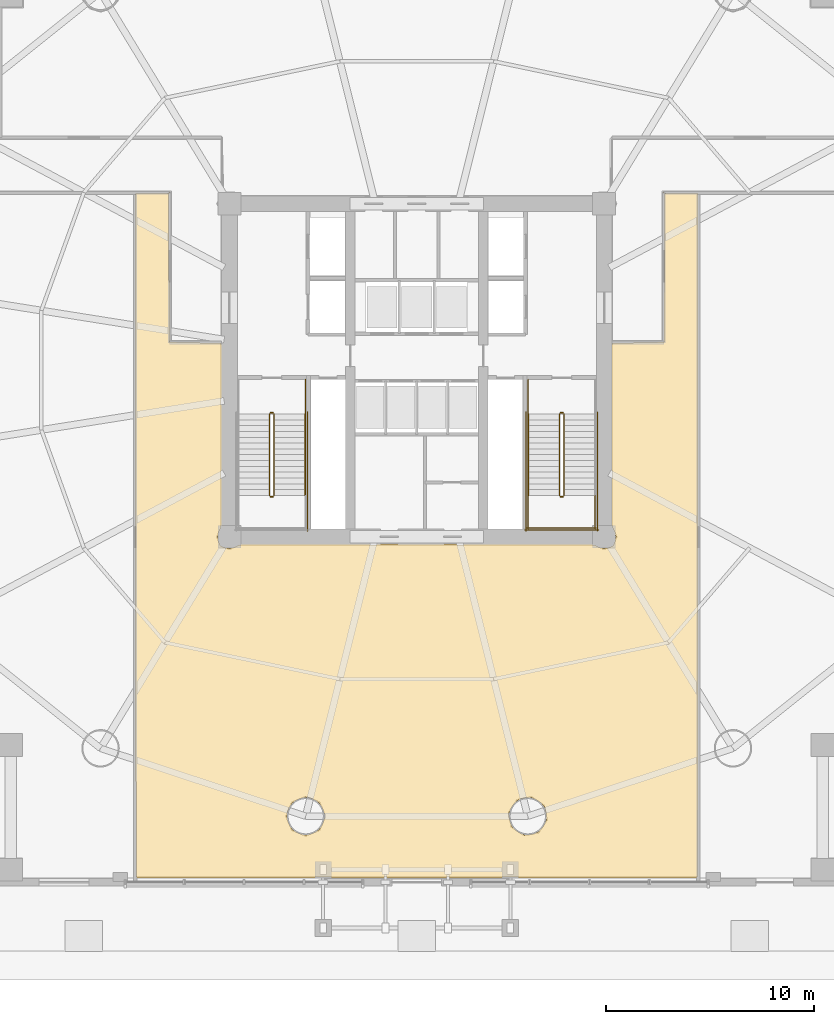
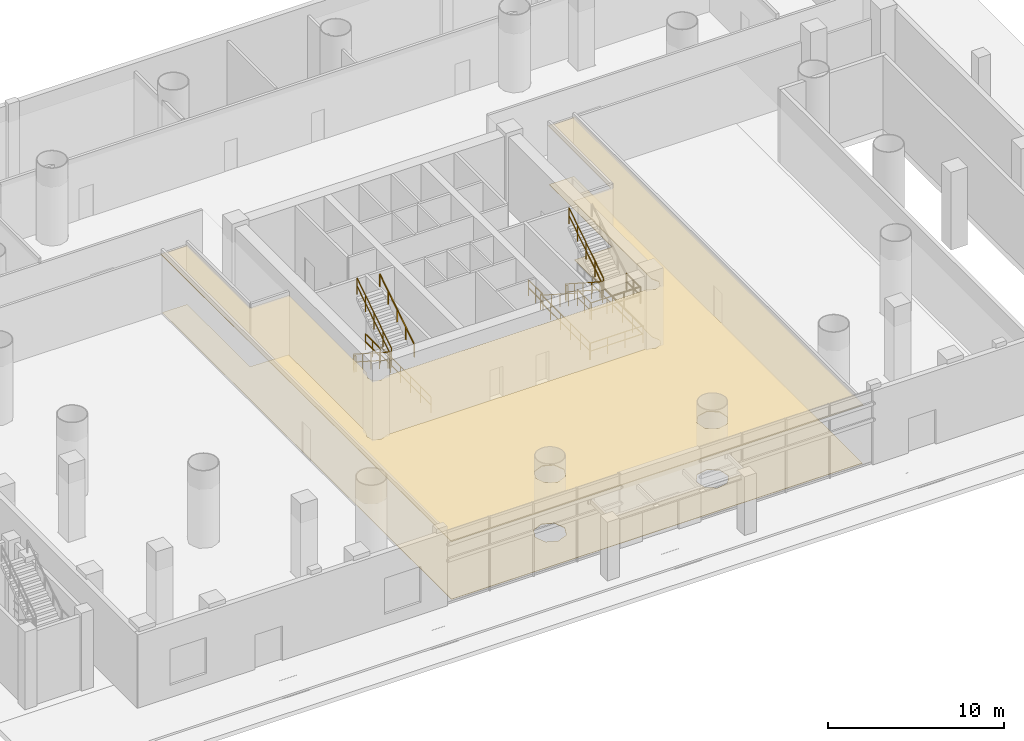
# One storey, part 18 of 25: 19 railings, 2 coverings.
"""IFC4 building model written with IfcOpenShell, lengths in metres."""

import ifcopenshell
import ifcopenshell.guid

model = None  # the IFC model being written
_history = None  # IfcOwnerHistory: only IFC2X3 demands one
_inside = {}  # id of a spatial element -> (the spatial element, [elements in it])
_under = {}  # id of a project, library or spatial element -> (it, [spatial elements below it])
_declared = {}  # id of a project -> (the project, [libraries it declares])
_typed = {}  # id of a type object -> (the type object, [elements of that type])
_made_of = {}  # id of a material, layer set ... -> (it, [elements and type objects made of it])


def new_model(schema):
    """Start an empty IFC model of exactly this schema.

    Asked for "IFC4X3", IfcOpenShell would pick the latest addendum, in which some entities
    have other attributes; the version numbers below select the first issue.
    IFC2X3 requires an IfcOwnerHistory on every rooted entity: one is made here for all.
    """
    global model, _history
    if schema == "IFC4X3":
        model = ifcopenshell.file(schema_version=(4, 3, 0, 0))
    else:
        model = ifcopenshell.file(schema=schema)
    _inside.clear()
    _under.clear()
    _declared.clear()
    _typed.clear()
    _made_of.clear()
    _history = None
    if model.schema == "IFC2X3":
        org = make("IfcOrganization", Name="unknown")
        user = make(
            "IfcPersonAndOrganization",
            ThePerson=make("IfcPerson", FamilyName="unknown"),
            TheOrganization=org,
        )
        app = make(
            "IfcApplication",
            ApplicationDeveloper=org,
            Version="unknown",
            ApplicationFullName="unknown",
            ApplicationIdentifier="unknown",
        )
        _history = make(
            "IfcOwnerHistory",
            OwningUser=user,
            OwningApplication=app,
            ChangeAction="ADDED",
            CreationDate=0,
        )
    return model


def make(cls, **values):
    """One entity of the class cls with the attributes given. An attribute that is None is left unset."""
    return model.create_entity(
        cls, **{name: value for name, value in values.items() if value is not None}
    )


def rooted(cls, **values):
    """An entity with a GlobalId (a new one), such as an element, a storey or a relation."""
    return make(cls, GlobalId=ifcopenshell.guid.new(), OwnerHistory=_history, **values)


def si_unit(unit_type, name, prefix=None):
    """IfcSIUnit, for example si_unit("LENGTHUNIT", "METRE", prefix="MILLI")."""
    return make("IfcSIUnit", UnitType=unit_type, Prefix=prefix, Name=name)


def assignment(units):
    """IfcUnitAssignment: the units of a project."""
    return None if units is None else make("IfcUnitAssignment", Units=units)


def point(xyz):
    """IfcCartesianPoint."""
    return None if xyz is None else make("IfcCartesianPoint", Coordinates=xyz)


def direction(xyz):
    """IfcDirection."""
    return None if xyz is None else make("IfcDirection", DirectionRatios=xyz)


def frame(location, z_axis=None, x_axis=None):
    """IfcAxis2Placement3D, a coordinate frame: its origin and axes. An axis left out is left unset."""
    return make(
        "IfcAxis2Placement3D",
        Location=point(location),
        Axis=direction(z_axis),
        RefDirection=direction(x_axis),
    )


def frame_2d(location, x_axis=None):
    """IfcAxis2Placement2D, a coordinate frame in the plane: its origin and x axis."""
    return make(
        "IfcAxis2Placement2D", Location=point(location), RefDirection=direction(x_axis)
    )


def origin():
    """The frame at (0, 0, 0) with its axes left unset."""
    return frame((0.0, 0.0, 0.0))


def origin_2d():
    """The frame at (0, 0) in the plane with its x axis left unset."""
    return frame_2d((0.0, 0.0))


def place(relative_to, where):
    """IfcLocalPlacement: puts the frame where relative to a parent placement (None: the world)."""
    return make(
        "IfcLocalPlacement", PlacementRelTo=relative_to, RelativePlacement=where
    )


def context(
    kind, dimensions, precision=None, world=None, true_north=None, identifier=None
):
    """IfcGeometricRepresentationContext, for example the 3D "Model" context."""
    return make(
        "IfcGeometricRepresentationContext",
        ContextIdentifier=identifier,
        ContextType=kind,
        CoordinateSpaceDimension=dimensions,
        Precision=precision,
        WorldCoordinateSystem=world,
        TrueNorth=true_north,
    )


def subcontext(parent, identifier, kind, view, scale=None):
    """IfcGeometricRepresentationSubContext, for example "Body" below "Model"."""
    return make(
        "IfcGeometricRepresentationSubContext",
        ContextIdentifier=identifier,
        ContextType=kind,
        ParentContext=parent,
        TargetScale=scale,
        TargetView=view,
    )


def project(units=None, contexts=None):
    """IfcProject with its units and contexts."""
    return rooted(
        "IfcProject",
        Name="project",
        RepresentationContexts=contexts,
        UnitsInContext=assignment(units),
    )


def spatial(cls, under=None, at=None, **own):
    """A site, building, storey or space (cls), placed at a placement, below another one or the project."""
    s = rooted(cls, ObjectPlacement=at, **own)
    if under is not None:
        _under.setdefault(under.id(), (under, []))[1].append(s)
    return s


def polyline(points):
    """IfcPolyline through the points."""
    return make("IfcPolyline", Points=[point(p) for p in points])


def profile(cls, at=None, kind="AREA", **sizes):
    """A parametric profile (cls). Its sizes go by their IFC names, for example OverallWidth=200.0."""
    return make(cls, ProfileType=kind, Position=at, **sizes)


def rectangle(**sizes):
    """IfcRectangleProfileDef."""
    return profile("IfcRectangleProfileDef", **sizes)


def outline(outer, holes=None, kind="AREA"):
    """IfcArbitraryClosedProfileDef: a profile drawn as a closed curve; with holes, ...WithVoids."""
    if holes is None:
        return make("IfcArbitraryClosedProfileDef", ProfileType=kind, OuterCurve=outer)
    return make(
        "IfcArbitraryProfileDefWithVoids",
        ProfileType=kind,
        OuterCurve=outer,
        InnerCurves=holes,
    )


def extrude(swept, where, along, depth):
    """IfcExtrudedAreaSolid: the profile swept, set in the frame where, extruded along a direction by depth."""
    return make(
        "IfcExtrudedAreaSolid",
        SweptArea=swept,
        Position=where,
        ExtrudedDirection=direction(along),
        Depth=depth,
    )


def shape(context_of_items, identifier, shape_type, items):
    """IfcShapeRepresentation: the items that make up one representation, for example the "Body"."""
    return make(
        "IfcShapeRepresentation",
        ContextOfItems=context_of_items,
        RepresentationIdentifier=identifier,
        RepresentationType=shape_type,
        Items=items,
    )


def material(Name=None, Category=None):
    """IfcMaterial."""
    return make("IfcMaterial", Name=Name, Category=Category)


def layer(
    of_material, thickness, ventilated=None, Name=None, Category=None, Priority=None
):
    """IfcMaterialLayer: one layer of a wall or slab, of a material (None: an air gap)."""
    return make(
        "IfcMaterialLayer",
        Material=of_material,
        LayerThickness=thickness,
        IsVentilated=ventilated,
        Name=Name,
        Category=Category,
        Priority=Priority,
    )


def layer_set(layers, Name=None):
    """IfcMaterialLayerSet."""
    return make("IfcMaterialLayerSet", MaterialLayers=layers, LayerSetName=Name)


def made_of(thing, what):
    """Note that an element or type object is made of a material, layer set ...; save() writes the relation."""
    if what is not None:
        _made_of.setdefault(what.id(), (what, []))[1].append(thing)
    return thing


def type_object(cls, material=None, **own):
    """A type object (cls), such as IfcWallType, which elements share."""
    return made_of(rooted(cls, **own), material)


def element(
    cls,
    number,
    at=None,
    inside=None,
    cuts=None,
    type_object=None,
    material=None,
    context=None,
    identifier="Body",
    shape_type=None,
    held_by="IfcProductDefinitionShape",
    body=None,
    shapes=None,
    **own,
):
    """One element of the class cls, such as IfcWall. Its Tag is "e" and its number.

    at: its placement. inside: the storey or other place that contains it. cuts: it is an
    opening in that element (IfcRelVoidsElement). A single representation is given by context,
    identifier, shape_type and body (its items); several are given by shapes. held_by: the class
    of the entity that holds the representations. save() writes the other relations.
    """
    e = rooted(cls, Tag="e%d" % number, ObjectPlacement=at, **own)
    if body is not None:
        shapes = [shape(context, identifier, shape_type, body)]
    if shapes is not None:
        e.Representation = make(held_by, Representations=shapes)
    if inside is not None:
        _inside.setdefault(inside.id(), (inside, []))[1].append(e)
    if cuts is not None:
        rooted(
            "IfcRelVoidsElement", RelatingBuildingElement=cuts, RelatedOpeningElement=e
        )
    if type_object is not None:
        _typed.setdefault(type_object.id(), (type_object, []))[1].append(e)
    return made_of(e, material)


def aggregate(whole, parts):
    """IfcRelAggregates: a whole, such as a stair, and the parts it consists of."""
    return rooted("IfcRelAggregates", RelatingObject=whole, RelatedObjects=parts)


def save(model, path):
    """Write the relations noted so far, then the file.

    IfcRelAggregates (storeys below a building ...), IfcRelContainedInSpatialStructure (elements
    in a storey), IfcRelDefinesByType, IfcRelAssociatesMaterial and IfcRelDeclares: one each for
    every whole, place, type object, material and project.
    """
    for whole, parts in _under.values():
        aggregate(whole, parts)
    for where, things in _inside.values():
        rooted(
            "IfcRelContainedInSpatialStructure",
            RelatedElements=things,
            RelatingStructure=where,
        )
    for kind, things in _typed.values():
        rooted("IfcRelDefinesByType", RelatedObjects=things, RelatingType=kind)
    for what, things in _made_of.values():
        rooted("IfcRelAssociatesMaterial", RelatedObjects=things, RelatingMaterial=what)
    for by, libraries in _declared.values():
        rooted("IfcRelDeclares", RelatingContext=by, RelatedDefinitions=libraries)
    model.write(path)


model = new_model("IFC4")

# Units and contexts
model_context = context("Model", 3, precision=1e-05, world=origin(), true_north=direction((-0.2419218956, 0.970295726276)))
body_context = subcontext(model_context, "Body", "Model", "MODEL_VIEW")
ifc_project = project(units=[si_unit("LENGTHUNIT", "METRE"), si_unit("AREAUNIT", "SQUARE_METRE"), si_unit("VOLUMEUNIT", "CUBIC_METRE"), si_unit("PLANEANGLEUNIT", "RADIAN"), si_unit("MASSUNIT", "GRAM", prefix="KILO")], contexts=[model_context])

# Site, building, storey
site_placement = place(None, origin())
site = spatial("IfcSite", under=ifc_project, at=site_placement, CompositionType="ELEMENT")
building_placement = place(site_placement, origin())
building = spatial("IfcBuilding", under=site, at=building_placement, Name="Cobrevalo Terracotta Tower", CompositionType="ELEMENT")
storey_placement = place(building_placement, origin())
storey = spatial("IfcBuildingStorey", under=building, at=storey_placement, Name="L00", CompositionType="ELEMENT", Elevation=0.0)

# Coverings
ifc_material_1 = material(Name="Honed terracotta and granite tile", Category="masonry")
ifc_layer_1 = layer(ifc_material_1, 0.034912109375)
ifc_layer_set_1 = layer_set([ifc_layer_1], Name="Honed terracotta and granite tile")
covering_type_1 = type_object("IfcCoveringType", Name="Honed Terracotta & Granite Interior Flooring 35", PredefinedType="FLOORING", material=ifc_layer_set_1)
covering_1_placement = place(storey_placement, origin())
element("IfcCovering", 1, at=covering_1_placement, inside=storey, type_object=covering_type_1, Name="Grand Arrival Concourse and Reception floor finish", PredefinedType="FLOORING", context=body_context, shape_type="SweptSolid", body=[
    extrude(outline(polyline([(26.10009765625, 35.300048828125), (26.111328125, 28.152099609375), (28.60498046875, 28.10009765625), (28.60498046875, 19.267822265625), (28.379638671875, 18.800048828125), (28.561279296875, 18.361328125), (29.0, 18.1796875), (29.4677734375, 18.405029296875), (46.5322265625, 18.405029296875), (47.0, 18.1796875), (47.438720703125, 18.361328125), (47.620361328125, 18.800048828125), (47.39501953125, 19.267822265625), (47.39501953125, 28.10009765625), (49.888671875, 28.152099609375), (49.89990234375, 35.300048828125), (51.52197265625, 35.300048828125), (51.5, 2.43994140625), (24.5, 2.43994140625), (24.47802734375, 35.300048828125), (26.10009765625, 35.300048828125)]), holes=[polyline([(43.869140625, 4.571533203125), (44.27734375, 5.1826171875), (44.134033203125, 5.9033203125), (43.52294921875, 6.3115234375), (42.80224609375, 6.168212890625), (42.39404296875, 5.55712890625), (42.537353515625, 4.83642578125), (43.1484375, 4.42822265625), (43.869140625, 4.571533203125)]), polyline([(33.34326171875, 4.69091796875), (33.624267578125, 5.369873046875), (33.34326171875, 6.048828125), (32.664306640625, 6.329833984375), (31.9853515625, 6.048828125), (31.7041015625, 5.369873046875), (31.9853515625, 4.69091796875), (32.664306640625, 4.40966796875), (33.34326171875, 4.69091796875)])]), origin(), (0.0, 0.0, 1.0), 0.030029296875),
])
ifc_material_2 = material(Name="Acoustic perforated gypsum ceiling", Category="gypsum")
ifc_layer_2 = layer(ifc_material_2, 0.050048828125)
ifc_layer_set_2 = layer_set([ifc_layer_2], Name="Acoustic perforated gypsum ceiling")
covering_type_2 = type_object("IfcCoveringType", Name="Perforated Acoustic Gypsum Ceiling 50", PredefinedType="CEILING", material=ifc_layer_set_2)
covering_2_placement = place(storey_placement, frame((0.0, 0.0, 4.06005859375)))
element("IfcCovering", 2, at=covering_2_placement, inside=storey, type_object=covering_type_2, Name="Grand Arrival Concourse and Reception acoustic ceiling", PredefinedType="CEILING", context=body_context, shape_type="SweptSolid", body=[
    extrude(outline(polyline([(26.14501953125, 35.344970703125), (26.152099609375, 28.175048828125), (28.64990234375, 28.14501953125), (28.64990234375, 19.243896484375), (28.425537109375, 18.800048828125), (28.59375, 18.393798828125), (29.0, 18.2255859375), (29.44384765625, 18.449951171875), (46.55615234375, 18.449951171875), (47.0, 18.2255859375), (47.40625, 18.393798828125), (47.574462890625, 18.800048828125), (47.35009765625, 19.243896484375), (47.35009765625, 28.14501953125), (49.847900390625, 28.175048828125), (49.85498046875, 35.344970703125), (51.617919921875, 35.344970703125), (51.544921875, 2.39501953125), (24.455078125, 2.39501953125), (24.382080078125, 35.344970703125), (26.14501953125, 35.344970703125)]), holes=[polyline([(43.843994140625, 4.609130859375), (44.23291015625, 5.19140625), (44.096435546875, 5.878173828125), (43.51416015625, 6.26708984375), (42.827392578125, 6.130615234375), (42.4384765625, 5.54833984375), (42.574951171875, 4.861572265625), (43.1572265625, 4.47265625), (43.843994140625, 4.609130859375)]), polyline([(33.311279296875, 4.722900390625), (33.5791015625, 5.369873046875), (33.311279296875, 6.016845703125), (32.664306640625, 6.28466796875), (32.017333984375, 6.016845703125), (31.74951171875, 5.369873046875), (32.017333984375, 4.722900390625), (32.664306640625, 4.455078125), (33.311279296875, 4.722900390625)])]), origin(), (0.0, 0.0, 1.0), 0.050048828125),
])

# Railings
ifc_material_3 = material(Name="Brushed stainless steel", Category="steel")
railing_type_1 = type_object("IfcRailingType", Name="Stainless Steel Stair Handrail 900", PredefinedType="HANDRAIL", material=ifc_material_3)
railing_1_placement = place(storey_placement, frame((32.64501953125, 20.780029296875, 2.8798828125)))
element("IfcRailing", 3, at=railing_1_placement, inside=storey, type_object=railing_type_1, Name="L00 ST-1 stair handrail 2", PredefinedType="HANDRAIL", context=body_context, shape_type="SweptSolid", body=[
    extrude(rectangle(XDim=0.048095703125, YDim=0.048095703125, at=origin_2d()), frame((0.0, 0.0, 0.8759765625), z_axis=(0.0, 0.841171666519, 0.540768182723), x_axis=(-1.0, 0.0, 0.0)), (0.0, 0.0, 1.0), 4.66015625),
    extrude(rectangle(XDim=0.0419921875, YDim=0.0419921875, at=origin_2d()), origin(), (0.0, 0.0, 1.0), 0.851806640625),
    extrude(rectangle(XDim=0.0419921875, YDim=0.0419921875, at=origin_2d()), frame((0.0, 0.97998046875, 0.6298828125)), (0.0, 0.0, 1.0), 0.851806640625),
    extrude(rectangle(XDim=0.0419921875, YDim=0.0419921875, at=origin_2d()), frame((0.0, 1.9599609375, 1.260009765625)), (0.0, 0.0, 1.0), 0.851806640625),
    extrude(rectangle(XDim=0.0419921875, YDim=0.0419921875, at=origin_2d()), frame((0.0, 2.93994140625, 1.89013671875)), (0.0, 0.0, 1.0), 0.851806640625),
    extrude(rectangle(XDim=0.0419921875, YDim=0.0419921875, at=origin_2d()), frame((0.0, 3.919921875, 2.52001953125)), (0.0, 0.0, 1.0), 0.851806640625),
])
railing_2_placement = place(storey_placement, frame((43.35498046875, 24.699951171875, 0.179931640625)))
element("IfcRailing", 4, at=railing_2_placement, inside=storey, type_object=railing_type_1, Name="L00 ST-2 stair handrail 1", PredefinedType="HANDRAIL", context=body_context, shape_type="SweptSolid", body=[
    extrude(rectangle(XDim=0.048095703125, YDim=0.048095703125, at=origin_2d()), frame((0.0, 0.0, 0.8759765625), z_axis=(0.0, -0.841171666519, 0.540768182723), x_axis=(1.0, 0.0, 0.0)), (0.0, 0.0, 1.0), 4.66015625),
    extrude(rectangle(XDim=0.0419921875, YDim=0.0419921875, at=origin_2d()), origin(), (0.0, 0.0, 1.0), 0.851806640625),
    extrude(rectangle(XDim=0.0419921875, YDim=0.0419921875, at=origin_2d()), frame((0.0, -0.97998046875, 0.6298828125)), (0.0, 0.0, 1.0), 0.851806640625),
    extrude(rectangle(XDim=0.0419921875, YDim=0.0419921875, at=origin_2d()), frame((0.0, -1.9599609375, 1.260009765625)), (0.0, 0.0, 1.0), 0.851806640625),
    extrude(rectangle(XDim=0.0419921875, YDim=0.0419921875, at=origin_2d()), frame((0.0, -2.93994140625, 1.89013671875)), (0.0, 0.0, 1.0), 0.851806640625),
    extrude(rectangle(XDim=0.0419921875, YDim=0.0419921875, at=origin_2d()), frame((0.0, -3.919921875, 2.52001953125)), (0.0, 0.0, 1.0), 0.851806640625),
])
ifc_material_4 = material(Name="Painted galvanized steel", Category="steel")
railing_type_2 = type_object("IfcRailingType", Name="Stair Well Guard Balustrade 1150", PredefinedType="GUARDRAIL", material=ifc_material_4)
railing_3_placement = place(storey_placement, frame((30.925048828125, 24.699951171875, 0.179931640625)))
element("IfcRailing", 5, at=railing_3_placement, inside=storey, type_object=railing_type_2, Name="L00 ST-1 stair guard 1", PredefinedType="GUARDRAIL", context=body_context, shape_type="SweptSolid", body=[
    extrude(rectangle(XDim=0.048095703125, YDim=0.048095703125, at=origin_2d()), frame((0.0, 0.0, 1.1259765625), z_axis=(0.0, -0.841171666519, 0.540768182723), x_axis=(1.0, 0.0, 0.0)), (0.0, 0.0, 1.0), 4.66015625),
    extrude(rectangle(XDim=0.048095703125, YDim=0.048095703125, at=origin_2d()), frame((0.0, 0.0, 0.574951171875), z_axis=(0.0, -0.841171666519, 0.540768182723), x_axis=(1.0, 0.0, 0.0)), (0.0, 0.0, 1.0), 4.66015625),
    extrude(rectangle(XDim=0.0419921875, YDim=0.0419921875, at=origin_2d()), origin(), (0.0, 0.0, 1.0), 1.101806640625),
    extrude(rectangle(XDim=0.0419921875, YDim=0.0419921875, at=origin_2d()), frame((0.0, -0.97998046875, 0.6298828125)), (0.0, 0.0, 1.0), 1.101806640625),
    extrude(rectangle(XDim=0.0419921875, YDim=0.0419921875, at=origin_2d()), frame((0.0, -1.9599609375, 1.260009765625)), (0.0, 0.0, 1.0), 1.101806640625),
    extrude(rectangle(XDim=0.0419921875, YDim=0.0419921875, at=origin_2d()), frame((0.0, -2.93994140625, 1.89013671875)), (0.0, 0.0, 1.0), 1.101806640625),
    extrude(rectangle(XDim=0.0419921875, YDim=0.0419921875, at=origin_2d()), frame((0.0, -3.919921875, 2.52001953125)), (0.0, 0.0, 1.0), 1.101806640625),
])
railing_4_placement = place(storey_placement, frame((30.97509765625, 20.72998046875, 2.699951171875)))
element("IfcRailing", 6, at=railing_4_placement, inside=storey, type_object=railing_type_2, Name="L00 ST-1 stair guard 2", PredefinedType="GUARDRAIL", context=body_context, shape_type="SweptSolid", body=[
    extrude(rectangle(XDim=0.048095703125, YDim=0.048095703125, at=origin_2d()), frame((0.0, 0.0, 1.1259765625), z_axis=(1.0, 0.0, 0.0), x_axis=(0.0, 1.0, 0.0)), (0.0, 0.0, 1.0), 0.119873046875),
    extrude(rectangle(XDim=0.048095703125, YDim=0.048095703125, at=origin_2d()), frame((0.0, 0.0, 0.574951171875), z_axis=(1.0, 0.0, 0.0), x_axis=(0.0, 1.0, 0.0)), (0.0, 0.0, 1.0), 0.119873046875),
    extrude(rectangle(XDim=0.0419921875, YDim=0.0419921875, at=origin_2d()), origin(), (0.0, 0.0, 1.0), 1.101806640625),
    extrude(rectangle(XDim=0.0419921875, YDim=0.0419921875, at=origin_2d()), frame((0.119873046875, 0.0, 0.0)), (0.0, 0.0, 1.0), 1.101806640625),
])
railing_5_placement = place(storey_placement, frame((31.14501953125, 20.780029296875, 2.8798828125)))
element("IfcRailing", 7, at=railing_5_placement, inside=storey, type_object=railing_type_2, Name="L00 ST-1 stair guard 6", PredefinedType="GUARDRAIL", context=body_context, shape_type="SweptSolid", body=[
    extrude(rectangle(XDim=0.048095703125, YDim=0.048095703125, at=origin_2d()), frame((0.0, 0.0, 1.1259765625), z_axis=(0.0, 0.841171666519, 0.540768182723), x_axis=(-1.0, 0.0, 0.0)), (0.0, 0.0, 1.0), 4.66015625),
    extrude(rectangle(XDim=0.048095703125, YDim=0.048095703125, at=origin_2d()), frame((0.0, 0.0, 0.574951171875), z_axis=(0.0, 0.841171666519, 0.540768182723), x_axis=(-1.0, 0.0, 0.0)), (0.0, 0.0, 1.0), 4.66015625),
    extrude(rectangle(XDim=0.0419921875, YDim=0.0419921875, at=origin_2d()), origin(), (0.0, 0.0, 1.0), 1.101806640625),
    extrude(rectangle(XDim=0.0419921875, YDim=0.0419921875, at=origin_2d()), frame((0.0, 0.97998046875, 0.6298828125)), (0.0, 0.0, 1.0), 1.101806640625),
    extrude(rectangle(XDim=0.0419921875, YDim=0.0419921875, at=origin_2d()), frame((0.0, 1.9599609375, 1.260009765625)), (0.0, 0.0, 1.0), 1.101806640625),
    extrude(rectangle(XDim=0.0419921875, YDim=0.0419921875, at=origin_2d()), frame((0.0, 2.93994140625, 1.89013671875)), (0.0, 0.0, 1.0), 1.101806640625),
    extrude(rectangle(XDim=0.0419921875, YDim=0.0419921875, at=origin_2d()), frame((0.0, 3.919921875, 2.52001953125)), (0.0, 0.0, 1.0), 1.101806640625),
])
railing_6_placement = place(storey_placement, frame((30.97509765625, 24.75, 0.0)))
element("IfcRailing", 8, at=railing_6_placement, inside=storey, type_object=railing_type_2, Name="L00 ST-1 stair guard 7", PredefinedType="GUARDRAIL", context=body_context, shape_type="SweptSolid", body=[
    extrude(rectangle(XDim=0.048095703125, YDim=0.048095703125, at=origin_2d()), frame((0.0, 0.0, 1.1259765625), z_axis=(1.0, 0.0, 0.0), x_axis=(0.0, 1.0, 0.0)), (0.0, 0.0, 1.0), 0.119873046875),
    extrude(rectangle(XDim=0.048095703125, YDim=0.048095703125, at=origin_2d()), frame((0.0, 0.0, 0.574951171875), z_axis=(1.0, 0.0, 0.0), x_axis=(0.0, 1.0, 0.0)), (0.0, 0.0, 1.0), 0.119873046875),
    extrude(rectangle(XDim=0.0419921875, YDim=0.0419921875, at=origin_2d()), origin(), (0.0, 0.0, 1.0), 1.101806640625),
    extrude(rectangle(XDim=0.0419921875, YDim=0.0419921875, at=origin_2d()), frame((0.119873046875, 0.0, 0.0)), (0.0, 0.0, 1.0), 1.101806640625),
])
railing_7_placement = place(storey_placement, frame((32.64501953125, 26.35009765625, 0.0)))
element("IfcRailing", 9, at=railing_7_placement, inside=storey, type_object=railing_type_2, Name="L00 ST-1 stair guard 9", PredefinedType="GUARDRAIL", context=body_context, shape_type="SweptSolid", body=[
    extrude(rectangle(XDim=0.048095703125, YDim=0.048095703125, at=origin_2d()), frame((0.0, 0.0, 1.1259765625), z_axis=(0.0, -1.0, 0.0), x_axis=(1.0, 0.0, 0.0)), (0.0, 0.0, 1.0), 1.650146484375),
    extrude(rectangle(XDim=0.048095703125, YDim=0.048095703125, at=origin_2d()), frame((0.0, 0.0, 0.574951171875), z_axis=(0.0, -1.0, 0.0), x_axis=(1.0, 0.0, 0.0)), (0.0, 0.0, 1.0), 1.650146484375),
    extrude(rectangle(XDim=0.0419921875, YDim=0.0419921875, at=origin_2d()), origin(), (0.0, 0.0, 1.0), 1.101806640625),
    extrude(rectangle(XDim=0.0419921875, YDim=0.0419921875, at=origin_2d()), frame((0.0, -0.8251953125, 0.0)), (0.0, 0.0, 1.0), 1.101806640625),
    extrude(rectangle(XDim=0.0419921875, YDim=0.0419921875, at=origin_2d()), frame((0.0, -1.650146484375, 0.0)), (0.0, 0.0, 1.0), 1.101806640625),
])
railing_8_placement = place(storey_placement, frame((32.7451171875, 24.800048828125, 0.0)))
element("IfcRailing", 10, at=railing_8_placement, inside=storey, type_object=railing_type_2, Name="L00 ST-1 stair guard 11", PredefinedType="GUARDRAIL", context=body_context, shape_type="SweptSolid", body=[
    extrude(rectangle(XDim=0.048095703125, YDim=0.048095703125, at=origin_2d()), frame((0.0, 0.0, 1.1259765625), z_axis=(0.0, -1.0, 0.0), x_axis=(1.0, 0.0, 0.0)), (0.0, 0.0, 1.0), 5.72509765625),
    extrude(rectangle(XDim=0.048095703125, YDim=0.048095703125, at=origin_2d()), frame((0.0, 0.0, 0.574951171875), z_axis=(0.0, -1.0, 0.0), x_axis=(1.0, 0.0, 0.0)), (0.0, 0.0, 1.0), 5.72509765625),
    extrude(rectangle(XDim=0.0419921875, YDim=0.0419921875, at=origin_2d()), origin(), (0.0, 0.0, 1.0), 1.101806640625),
    extrude(rectangle(XDim=0.0419921875, YDim=0.0419921875, at=origin_2d()), frame((0.0, -1.14501953125, 0.0)), (0.0, 0.0, 1.0), 1.101806640625),
    extrude(rectangle(XDim=0.0419921875, YDim=0.0419921875, at=origin_2d()), frame((0.0, -2.2900390625, 0.0)), (0.0, 0.0, 1.0), 1.101806640625),
    extrude(rectangle(XDim=0.0419921875, YDim=0.0419921875, at=origin_2d()), frame((0.0, -3.43505859375, 0.0)), (0.0, 0.0, 1.0), 1.101806640625),
    extrude(rectangle(XDim=0.0419921875, YDim=0.0419921875, at=origin_2d()), frame((0.0, -4.580078125, 0.0)), (0.0, 0.0, 1.0), 1.101806640625),
    extrude(rectangle(XDim=0.0419921875, YDim=0.0419921875, at=origin_2d()), frame((0.0, -5.72509765625, 0.0)), (0.0, 0.0, 1.0), 1.101806640625),
])
railing_9_placement = place(storey_placement, frame((44.85498046875, 24.699951171875, 0.179931640625)))
element("IfcRailing", 11, at=railing_9_placement, inside=storey, type_object=railing_type_2, Name="L00 ST-2 stair guard 1", PredefinedType="GUARDRAIL", context=body_context, shape_type="SweptSolid", body=[
    extrude(rectangle(XDim=0.048095703125, YDim=0.048095703125, at=origin_2d()), frame((0.0, 0.0, 1.1259765625), z_axis=(0.0, -0.841171666519, 0.540768182723), x_axis=(1.0, 0.0, 0.0)), (0.0, 0.0, 1.0), 4.66015625),
    extrude(rectangle(XDim=0.048095703125, YDim=0.048095703125, at=origin_2d()), frame((0.0, 0.0, 0.574951171875), z_axis=(0.0, -0.841171666519, 0.540768182723), x_axis=(1.0, 0.0, 0.0)), (0.0, 0.0, 1.0), 4.66015625),
    extrude(rectangle(XDim=0.0419921875, YDim=0.0419921875, at=origin_2d()), origin(), (0.0, 0.0, 1.0), 1.101806640625),
    extrude(rectangle(XDim=0.0419921875, YDim=0.0419921875, at=origin_2d()), frame((0.0, -0.97998046875, 0.6298828125)), (0.0, 0.0, 1.0), 1.101806640625),
    extrude(rectangle(XDim=0.0419921875, YDim=0.0419921875, at=origin_2d()), frame((0.0, -1.9599609375, 1.260009765625)), (0.0, 0.0, 1.0), 1.101806640625),
    extrude(rectangle(XDim=0.0419921875, YDim=0.0419921875, at=origin_2d()), frame((0.0, -2.93994140625, 1.89013671875)), (0.0, 0.0, 1.0), 1.101806640625),
    extrude(rectangle(XDim=0.0419921875, YDim=0.0419921875, at=origin_2d()), frame((0.0, -3.919921875, 2.52001953125)), (0.0, 0.0, 1.0), 1.101806640625),
])
railing_10_placement = place(storey_placement, frame((44.905029296875, 20.72998046875, 2.699951171875)))
element("IfcRailing", 12, at=railing_10_placement, inside=storey, type_object=railing_type_2, Name="L00 ST-2 stair guard 2", PredefinedType="GUARDRAIL", context=body_context, shape_type="SweptSolid", body=[
    extrude(rectangle(XDim=0.048095703125, YDim=0.048095703125, at=origin_2d()), frame((0.0, 0.0, 1.1259765625), z_axis=(1.0, 0.0, 0.0), x_axis=(0.0, 1.0, 0.0)), (0.0, 0.0, 1.0), 0.119873046875),
    extrude(rectangle(XDim=0.048095703125, YDim=0.048095703125, at=origin_2d()), frame((0.0, 0.0, 0.574951171875), z_axis=(1.0, 0.0, 0.0), x_axis=(0.0, 1.0, 0.0)), (0.0, 0.0, 1.0), 0.119873046875),
    extrude(rectangle(XDim=0.0419921875, YDim=0.0419921875, at=origin_2d()), origin(), (0.0, 0.0, 1.0), 1.101806640625),
    extrude(rectangle(XDim=0.0419921875, YDim=0.0419921875, at=origin_2d()), frame((0.119873046875, 0.0, 0.0)), (0.0, 0.0, 1.0), 1.101806640625),
])
for number, where, name in (
    (13, (43.35498046875, 20.780029296875, 2.699951171875), "L00 ST-2 stair guard 3"),
    (14, (46.574951171875, 20.780029296875, 2.699951171875), "L00 ST-2 stair guard 4"),
):
    element("IfcRailing", number, at=place(storey_placement, frame(where)), inside=storey, type_object=railing_type_2, Name=name, PredefinedType="GUARDRAIL", context=body_context, shape_type="SweptSolid", body=[
        extrude(rectangle(XDim=0.048095703125, YDim=0.048095703125, at=origin_2d()), frame((0.0, 0.0, 1.1259765625), z_axis=(0.0, -1.0, 0.0), x_axis=(1.0, 0.0, 0.0)), (0.0, 0.0, 1.0), 1.60498046875),
        extrude(rectangle(XDim=0.048095703125, YDim=0.048095703125, at=origin_2d()), frame((0.0, 0.0, 0.574951171875), z_axis=(0.0, -1.0, 0.0), x_axis=(1.0, 0.0, 0.0)), (0.0, 0.0, 1.0), 1.60498046875),
        extrude(rectangle(XDim=0.0419921875, YDim=0.0419921875, at=origin_2d()), origin(), (0.0, 0.0, 1.0), 1.101806640625),
        extrude(rectangle(XDim=0.0419921875, YDim=0.0419921875, at=origin_2d()), frame((0.0, -0.802490234375, 0.0)), (0.0, 0.0, 1.0), 1.101806640625),
        extrude(rectangle(XDim=0.0419921875, YDim=0.0419921875, at=origin_2d()), frame((0.0, -1.60498046875, 0.0)), (0.0, 0.0, 1.0), 1.101806640625),
    ])
railing_11_placement = place(storey_placement, frame((43.304931640625, 19.22509765625, 2.699951171875)))
element("IfcRailing", 15, at=railing_11_placement, inside=storey, type_object=railing_type_2, Name="L00 ST-2 stair guard 5", PredefinedType="GUARDRAIL", context=body_context, shape_type="SweptSolid", body=[
    extrude(rectangle(XDim=0.048095703125, YDim=0.048095703125, at=origin_2d()), frame((0.0, 0.0, 1.1259765625), z_axis=(1.0, 0.0, 0.0), x_axis=(0.0, 1.0, 0.0)), (0.0, 0.0, 1.0), 3.320068359375),
    extrude(rectangle(XDim=0.048095703125, YDim=0.048095703125, at=origin_2d()), frame((0.0, 0.0, 0.574951171875), z_axis=(1.0, 0.0, 0.0), x_axis=(0.0, 1.0, 0.0)), (0.0, 0.0, 1.0), 3.320068359375),
    extrude(rectangle(XDim=0.0419921875, YDim=0.0419921875, at=origin_2d()), origin(), (0.0, 0.0, 1.0), 1.101806640625),
    extrude(rectangle(XDim=0.0419921875, YDim=0.0419921875, at=origin_2d()), frame((1.106689453125, 0.0, 0.0)), (0.0, 0.0, 1.0), 1.101806640625),
    extrude(rectangle(XDim=0.0419921875, YDim=0.0419921875, at=origin_2d()), frame((2.21337890625, 0.0, 0.0)), (0.0, 0.0, 1.0), 1.101806640625),
    extrude(rectangle(XDim=0.0419921875, YDim=0.0419921875, at=origin_2d()), frame((3.320068359375, 0.0, 0.0)), (0.0, 0.0, 1.0), 1.101806640625),
])
railing_12_placement = place(storey_placement, frame((45.074951171875, 20.780029296875, 2.8798828125)))
element("IfcRailing", 16, at=railing_12_placement, inside=storey, type_object=railing_type_2, Name="L00 ST-2 stair guard 6", PredefinedType="GUARDRAIL", context=body_context, shape_type="SweptSolid", body=[
    extrude(rectangle(XDim=0.048095703125, YDim=0.048095703125, at=origin_2d()), frame((0.0, 0.0, 1.1259765625), z_axis=(0.0, 0.841171666519, 0.540768182723), x_axis=(-1.0, 0.0, 0.0)), (0.0, 0.0, 1.0), 4.66015625),
    extrude(rectangle(XDim=0.048095703125, YDim=0.048095703125, at=origin_2d()), frame((0.0, 0.0, 0.574951171875), z_axis=(0.0, 0.841171666519, 0.540768182723), x_axis=(-1.0, 0.0, 0.0)), (0.0, 0.0, 1.0), 4.66015625),
    extrude(rectangle(XDim=0.0419921875, YDim=0.0419921875, at=origin_2d()), origin(), (0.0, 0.0, 1.0), 1.101806640625),
    extrude(rectangle(XDim=0.0419921875, YDim=0.0419921875, at=origin_2d()), frame((0.0, 0.97998046875, 0.6298828125)), (0.0, 0.0, 1.0), 1.101806640625),
    extrude(rectangle(XDim=0.0419921875, YDim=0.0419921875, at=origin_2d()), frame((0.0, 1.9599609375, 1.260009765625)), (0.0, 0.0, 1.0), 1.101806640625),
    extrude(rectangle(XDim=0.0419921875, YDim=0.0419921875, at=origin_2d()), frame((0.0, 2.93994140625, 1.89013671875)), (0.0, 0.0, 1.0), 1.101806640625),
    extrude(rectangle(XDim=0.0419921875, YDim=0.0419921875, at=origin_2d()), frame((0.0, 3.919921875, 2.52001953125)), (0.0, 0.0, 1.0), 1.101806640625),
])
railing_13_placement = place(storey_placement, frame((44.905029296875, 24.75, 0.0)))
element("IfcRailing", 17, at=railing_13_placement, inside=storey, type_object=railing_type_2, Name="L00 ST-2 stair guard 7", PredefinedType="GUARDRAIL", context=body_context, shape_type="SweptSolid", body=[
    extrude(rectangle(XDim=0.048095703125, YDim=0.048095703125, at=origin_2d()), frame((0.0, 0.0, 1.1259765625), z_axis=(1.0, 0.0, 0.0), x_axis=(0.0, 1.0, 0.0)), (0.0, 0.0, 1.0), 0.119873046875),
    extrude(rectangle(XDim=0.048095703125, YDim=0.048095703125, at=origin_2d()), frame((0.0, 0.0, 0.574951171875), z_axis=(1.0, 0.0, 0.0), x_axis=(0.0, 1.0, 0.0)), (0.0, 0.0, 1.0), 0.119873046875),
    extrude(rectangle(XDim=0.0419921875, YDim=0.0419921875, at=origin_2d()), origin(), (0.0, 0.0, 1.0), 1.101806640625),
    extrude(rectangle(XDim=0.0419921875, YDim=0.0419921875, at=origin_2d()), frame((0.119873046875, 0.0, 0.0)), (0.0, 0.0, 1.0), 1.101806640625),
])
railing_14_placement = place(storey_placement, frame((43.35498046875, 26.35009765625, 0.0)))
element("IfcRailing", 18, at=railing_14_placement, inside=storey, type_object=railing_type_2, Name="L00 ST-2 stair guard 8", PredefinedType="GUARDRAIL", context=body_context, shape_type="SweptSolid", body=[
    extrude(rectangle(XDim=0.048095703125, YDim=0.048095703125, at=origin_2d()), frame((0.0, 0.0, 1.1259765625), z_axis=(0.0, -1.0, 0.0), x_axis=(1.0, 0.0, 0.0)), (0.0, 0.0, 1.0), 1.650146484375),
    extrude(rectangle(XDim=0.048095703125, YDim=0.048095703125, at=origin_2d()), frame((0.0, 0.0, 0.574951171875), z_axis=(0.0, -1.0, 0.0), x_axis=(1.0, 0.0, 0.0)), (0.0, 0.0, 1.0), 1.650146484375),
    extrude(rectangle(XDim=0.0419921875, YDim=0.0419921875, at=origin_2d()), origin(), (0.0, 0.0, 1.0), 1.101806640625),
    extrude(rectangle(XDim=0.0419921875, YDim=0.0419921875, at=origin_2d()), frame((0.0, -0.8251953125, 0.0)), (0.0, 0.0, 1.0), 1.101806640625),
    extrude(rectangle(XDim=0.0419921875, YDim=0.0419921875, at=origin_2d()), frame((0.0, -1.650146484375, 0.0)), (0.0, 0.0, 1.0), 1.101806640625),
])
for number, where, name in (
    (19, (43.2548828125, 24.800048828125, 0.0), "L00 ST-2 stair guard 10"),
    (20, (46.675048828125, 24.800048828125, 0.0), "L00 ST-2 stair guard 11"),
):
    element("IfcRailing", number, at=place(storey_placement, frame(where)), inside=storey, type_object=railing_type_2, Name=name, PredefinedType="GUARDRAIL", context=body_context, shape_type="SweptSolid", body=[
        extrude(rectangle(XDim=0.048095703125, YDim=0.048095703125, at=origin_2d()), frame((0.0, 0.0, 1.1259765625), z_axis=(0.0, -1.0, 0.0), x_axis=(1.0, 0.0, 0.0)), (0.0, 0.0, 1.0), 5.72509765625),
        extrude(rectangle(XDim=0.048095703125, YDim=0.048095703125, at=origin_2d()), frame((0.0, 0.0, 0.574951171875), z_axis=(0.0, -1.0, 0.0), x_axis=(1.0, 0.0, 0.0)), (0.0, 0.0, 1.0), 5.72509765625),
        extrude(rectangle(XDim=0.0419921875, YDim=0.0419921875, at=origin_2d()), origin(), (0.0, 0.0, 1.0), 1.101806640625),
        extrude(rectangle(XDim=0.0419921875, YDim=0.0419921875, at=origin_2d()), frame((0.0, -1.14501953125, 0.0)), (0.0, 0.0, 1.0), 1.101806640625),
        extrude(rectangle(XDim=0.0419921875, YDim=0.0419921875, at=origin_2d()), frame((0.0, -2.2900390625, 0.0)), (0.0, 0.0, 1.0), 1.101806640625),
        extrude(rectangle(XDim=0.0419921875, YDim=0.0419921875, at=origin_2d()), frame((0.0, -3.43505859375, 0.0)), (0.0, 0.0, 1.0), 1.101806640625),
        extrude(rectangle(XDim=0.0419921875, YDim=0.0419921875, at=origin_2d()), frame((0.0, -4.580078125, 0.0)), (0.0, 0.0, 1.0), 1.101806640625),
        extrude(rectangle(XDim=0.0419921875, YDim=0.0419921875, at=origin_2d()), frame((0.0, -5.72509765625, 0.0)), (0.0, 0.0, 1.0), 1.101806640625),
    ])
railing_15_placement = place(storey_placement, frame((43.205078125, 19.125, 0.0)))
element("IfcRailing", 21, at=railing_15_placement, inside=storey, type_object=railing_type_2, Name="L00 ST-2 stair guard 12", PredefinedType="GUARDRAIL", context=body_context, shape_type="SweptSolid", body=[
    extrude(rectangle(XDim=0.048095703125, YDim=0.048095703125, at=origin_2d()), frame((0.0, 0.0, 1.1259765625), z_axis=(1.0, 0.0, 0.0), x_axis=(0.0, 1.0, 0.0)), (0.0, 0.0, 1.0), 3.52001953125),
    extrude(rectangle(XDim=0.048095703125, YDim=0.048095703125, at=origin_2d()), frame((0.0, 0.0, 0.574951171875), z_axis=(1.0, 0.0, 0.0), x_axis=(0.0, 1.0, 0.0)), (0.0, 0.0, 1.0), 3.52001953125),
    extrude(rectangle(XDim=0.0419921875, YDim=0.0419921875, at=origin_2d()), origin(), (0.0, 0.0, 1.0), 1.101806640625),
    extrude(rectangle(XDim=0.0419921875, YDim=0.0419921875, at=origin_2d()), frame((1.17333984375, 0.0, 0.0)), (0.0, 0.0, 1.0), 1.101806640625),
    extrude(rectangle(XDim=0.0419921875, YDim=0.0419921875, at=origin_2d()), frame((2.3466796875, 0.0, 0.0)), (0.0, 0.0, 1.0), 1.101806640625),
    extrude(rectangle(XDim=0.0419921875, YDim=0.0419921875, at=origin_2d()), frame((3.52001953125, 0.0, 0.0)), (0.0, 0.0, 1.0), 1.101806640625),
])

save(model, "model.ifc")
